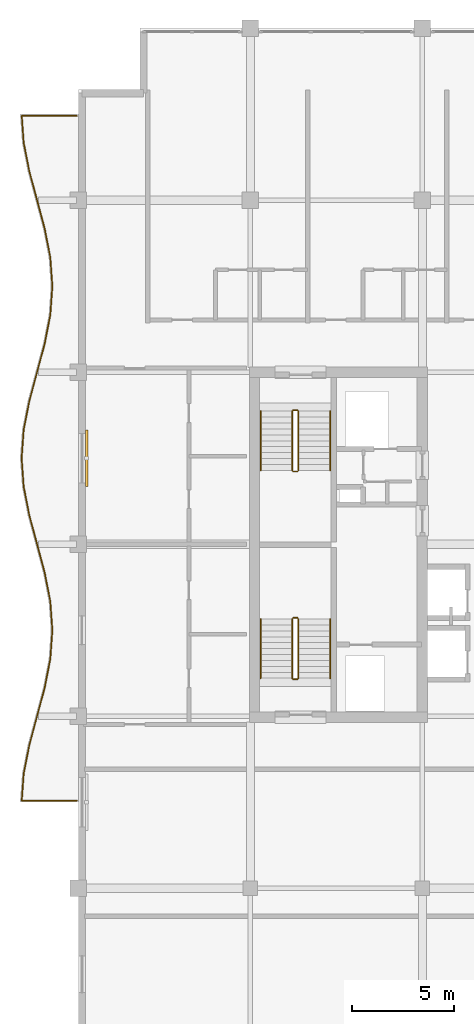
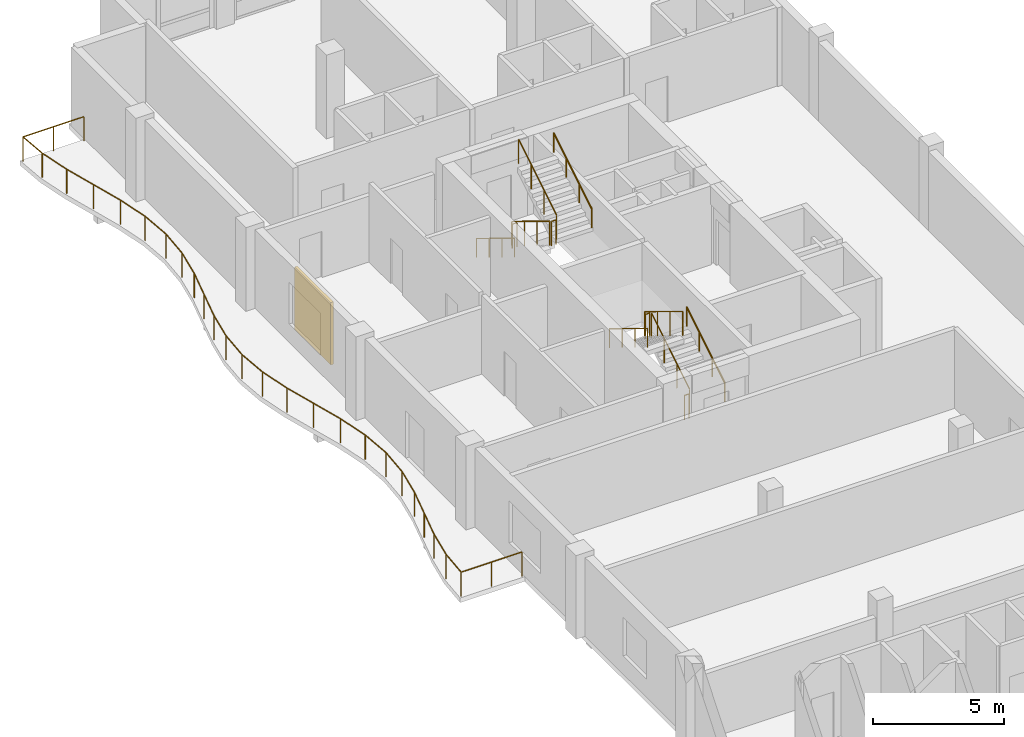
# One storey, part 17 of 17: 13 railings, 1 shading device.
"""IFC4 building model written with IfcOpenShell, lengths in metres."""

from ifc_helpers import new_model, si_unit, direction, frame, origin, origin_2d, place, context, subcontext, project, spatial, rectangle, circle, extrude, material, layer, layer_set, type_object, element, save


model = new_model("IFC4")

# Units and contexts
model_context = context("Model", 3, precision=1e-05, world=origin(), true_north=direction((0.0, 1.0)))
body_context = subcontext(model_context, "Body", "Model", "MODEL_VIEW")
ifc_project = project(units=[si_unit("LENGTHUNIT", "METRE"), si_unit("AREAUNIT", "SQUARE_METRE"), si_unit("VOLUMEUNIT", "CUBIC_METRE"), si_unit("PLANEANGLEUNIT", "RADIAN"), si_unit("MASSUNIT", "GRAM", prefix="KILO")], contexts=[model_context])

# Site, building, storey
site_placement = place(None, origin())
site = spatial("IfcSite", under=ifc_project, at=site_placement, CompositionType="ELEMENT")
building_placement = place(site_placement, origin())
building = spatial("IfcBuilding", under=site, at=building_placement, Name="Koriwani Terraces Tower", CompositionType="ELEMENT")
storey_placement = place(building_placement, frame((0.0, 0.0, 347.60009765625)))
storey = spatial("IfcBuildingStorey", under=building, at=storey_placement, Name="L86", CompositionType="ELEMENT", Elevation=347.60009765625)

# Railings
ifc_material_1 = material(Name="Steel ASTM A572 Grade 50", Category="steel")
railing_type_1 = type_object("IfcRailingType", Name="GUARD_BALUSTRADE_1150", PredefinedType="BALUSTRADE", material=ifc_material_1)
railing_1_placement = place(storey_placement, frame((8.320068359375, 37.8798828125, 0.0)))
element("IfcRailing", 1, at=railing_1_placement, inside=storey, type_object=railing_type_1, Name="L86 Balcony Perimeter Safety Balustrade (W)", PredefinedType="BALUSTRADE", context=body_context, shape_type="SweptSolid", body=[
    extrude(circle(Radius=0.02392578125, at=origin_2d()), frame((0.0, 0.0, 1.1259765625), z_axis=(-1.0, 0.0, 0.0), x_axis=(0.0, -1.0, 0.0)), (0.0, 0.0, 1.0), 2.68408203125),
    extrude(circle(Radius=0.02392578125, at=origin_2d()), frame((-2.68408203125, 0.0, 1.1259765625), z_axis=(0.071590627916, 0.997434099073, 0.0), x_axis=(-0.997434099073, 0.071590627916, 0.0)), (0.0, 0.0, 1.0), 1.31298828125),
    extrude(circle(Radius=0.02392578125, at=origin_2d()), frame((-2.590087890625, 1.3095703125, 1.1259765625), z_axis=(0.19237547223, 0.981321393675, 0.0), x_axis=(-0.981321393675, 0.19237547223, 0.0)), (0.0, 0.0, 1.0), 1.4189453125),
    extrude(circle(Radius=0.02392578125, at=origin_2d()), frame((-2.317138671875, 2.701904296875, 1.1259765625), z_axis=(0.258710827923, 0.965954816498, 0.0), x_axis=(-0.965954816498, 0.258710827923, 0.0)), (0.0, 0.0, 1.0), 2.89892578125),
    extrude(circle(Radius=0.02392578125, at=origin_2d()), frame((-1.567138671875, 5.502197265625, 1.1259765625), z_axis=(0.192218357442, 0.981352180954, 0.0), x_axis=(-0.981352180954, 0.192218357442, 0.0)), (0.0, 0.0, 1.0), 1.43408203125),
    extrude(circle(Radius=0.02392578125, at=origin_2d()), frame((-1.29150390625, 6.909423828125, 1.1259765625), z_axis=(0.071639614309, 0.997430581876, 0.0), x_axis=(-0.997430581876, 0.071639614309, 0.0)), (0.0, 0.0, 1.0), 1.414306640625),
    extrude(circle(Radius=0.02392578125, at=origin_2d()), frame((-1.190185546875, 8.320068359375, 1.1259765625), z_axis=(-0.071639614309, 0.997430581876, 0.0), x_axis=(-0.997430581876, -0.071639614309, 0.0)), (0.0, 0.0, 1.0), 1.414306640625),
    extrude(circle(Radius=0.02392578125, at=origin_2d()), frame((-1.29150390625, 9.730712890625, 1.1259765625), z_axis=(-0.192186246762, 0.981358469957, 0.0), x_axis=(-0.981358469957, -0.192186246762, 0.0)), (0.0, 0.0, 1.0), 1.434326171875),
    extrude(circle(Radius=0.02392578125, at=origin_2d()), frame((-1.567138671875, 11.13818359375, 1.1259765625), z_axis=(-0.258731875344, 0.96594917914, 0.0), x_axis=(-0.96594917914, -0.258731875344, 0.0)), (0.0, 0.0, 1.0), 2.898681640625),
    extrude(circle(Radius=0.02392578125, at=origin_2d()), frame((-2.317138671875, 13.938232421875, 1.1259765625), z_axis=(-0.192342993657, 0.981327760125, 0.0), x_axis=(-0.981327760125, -0.192342993657, 0.0)), (0.0, 0.0, 1.0), 1.419189453125),
    extrude(circle(Radius=0.02392578125, at=origin_2d()), frame((-2.590087890625, 15.330810546875, 1.1259765625), z_axis=(-0.07168297904, 0.997427466293, 0.0), x_axis=(-0.997427466293, -0.07168297904, 0.0)), (0.0, 0.0, 1.0), 1.39306640625),
    extrude(circle(Radius=0.02392578125, at=origin_2d()), frame((-2.68994140625, 16.72021484375, 1.1259765625), z_axis=(0.07168297904, 0.997427466293, 0.0), x_axis=(-0.997427466293, 0.07168297904, 0.0)), (0.0, 0.0, 1.0), 1.39306640625),
    extrude(circle(Radius=0.02392578125, at=origin_2d()), frame((-2.590087890625, 18.109619140625, 1.1259765625), z_axis=(0.19237547223, 0.981321393675, 0.0), x_axis=(-0.981321393675, 0.19237547223, 0.0)), (0.0, 0.0, 1.0), 1.4189453125),
    extrude(circle(Radius=0.02392578125, at=origin_2d()), frame((-2.317138671875, 19.501953125, 1.1259765625), z_axis=(0.258731875344, 0.96594917914, 0.0), x_axis=(-0.96594917914, 0.258731875344, 0.0)), (0.0, 0.0, 1.0), 2.898681640625),
    extrude(circle(Radius=0.02392578125, at=origin_2d()), frame((-1.567138671875, 22.302001953125, 1.1259765625), z_axis=(0.192186246762, 0.981358469957, 0.0), x_axis=(-0.981358469957, 0.192186246762, 0.0)), (0.0, 0.0, 1.0), 1.434326171875),
    extrude(circle(Radius=0.02392578125, at=origin_2d()), frame((-1.29150390625, 23.70947265625, 1.1259765625), z_axis=(0.071639614309, 0.997430581876, 0.0), x_axis=(-0.997430581876, 0.071639614309, 0.0)), (0.0, 0.0, 1.0), 1.414306640625),
    extrude(circle(Radius=0.02392578125, at=origin_2d()), frame((-1.190185546875, 25.1201171875, 1.1259765625), z_axis=(-0.071639614309, 0.997430581876, 0.0), x_axis=(-0.997430581876, -0.071639614309, 0.0)), (0.0, 0.0, 1.0), 1.414306640625),
    extrude(circle(Radius=0.02392578125, at=origin_2d()), frame((-1.29150390625, 26.53076171875, 1.1259765625), z_axis=(-0.192186246762, 0.981358469957, 0.0), x_axis=(-0.981358469957, -0.192186246762, 0.0)), (0.0, 0.0, 1.0), 1.434326171875),
    extrude(circle(Radius=0.02392578125, at=origin_2d()), frame((-1.567138671875, 27.938232421875, 1.1259765625), z_axis=(-0.258731875344, 0.96594917914, 0.0), x_axis=(-0.96594917914, -0.258731875344, 0.0)), (0.0, 0.0, 1.0), 2.898681640625),
    extrude(circle(Radius=0.02392578125, at=origin_2d()), frame((-2.317138671875, 30.73828125, 1.1259765625), z_axis=(-0.19237547223, 0.981321393675, 0.0), x_axis=(-0.981321393675, -0.19237547223, 0.0)), (0.0, 0.0, 1.0), 1.4189453125),
    extrude(circle(Radius=0.02392578125, at=origin_2d()), frame((-2.590087890625, 32.130615234375, 1.1259765625), z_axis=(-0.071590627916, 0.997434099073, 0.0), x_axis=(-0.997434099073, -0.071590627916, 0.0)), (0.0, 0.0, 1.0), 1.31298828125),
    extrude(circle(Radius=0.02392578125, at=origin_2d()), frame((-2.68408203125, 33.440185546875, 1.1259765625), z_axis=(1.0, 0.0, 0.0), x_axis=(0.0, 1.0, 0.0)), (0.0, 0.0, 1.0), 2.68408203125),
    extrude(circle(Radius=0.02099609375, at=origin_2d()), origin(), (0.0, 0.0, 1.0), 1.101806640625),
    extrude(circle(Radius=0.02099609375, at=origin_2d()), frame((-1.342041015625, 0.0, 0.0)), (0.0, 0.0, 1.0), 1.101806640625),
    extrude(circle(Radius=0.02099609375, at=origin_2d()), frame((-2.68408203125, 0.0, 0.0)), (0.0, 0.0, 1.0), 1.101806640625),
    extrude(circle(Radius=0.02099609375, at=origin_2d()), frame((-2.590087890625, 1.3095703125, 0.0)), (0.0, 0.0, 1.0), 1.101806640625),
    extrude(circle(Radius=0.02099609375, at=origin_2d()), frame((-2.317138671875, 2.701904296875, 0.0)), (0.0, 0.0, 1.0), 1.101806640625),
    extrude(circle(Radius=0.02099609375, at=origin_2d()), frame((-1.942138671875, 4.10205078125, 0.0)), (0.0, 0.0, 1.0), 1.101806640625),
    extrude(circle(Radius=0.02099609375, at=origin_2d()), frame((-1.567138671875, 5.502197265625, 0.0)), (0.0, 0.0, 1.0), 1.101806640625),
    extrude(circle(Radius=0.02099609375, at=origin_2d()), frame((-1.29150390625, 6.909423828125, 0.0)), (0.0, 0.0, 1.0), 1.101806640625),
    extrude(circle(Radius=0.02099609375, at=origin_2d()), frame((-1.190185546875, 8.320068359375, 0.0)), (0.0, 0.0, 1.0), 1.101806640625),
    extrude(circle(Radius=0.02099609375, at=origin_2d()), frame((-1.29150390625, 9.730712890625, 0.0)), (0.0, 0.0, 1.0), 1.101806640625),
    extrude(circle(Radius=0.02099609375, at=origin_2d()), frame((-1.567138671875, 11.13818359375, 0.0)), (0.0, 0.0, 1.0), 1.101806640625),
    extrude(circle(Radius=0.02099609375, at=origin_2d()), frame((-1.942138671875, 12.5380859375, 0.0)), (0.0, 0.0, 1.0), 1.101806640625),
    extrude(circle(Radius=0.02099609375, at=origin_2d()), frame((-2.317138671875, 13.938232421875, 0.0)), (0.0, 0.0, 1.0), 1.101806640625),
    extrude(circle(Radius=0.02099609375, at=origin_2d()), frame((-2.590087890625, 15.330810546875, 0.0)), (0.0, 0.0, 1.0), 1.101806640625),
    extrude(circle(Radius=0.02099609375, at=origin_2d()), frame((-2.68994140625, 16.72021484375, 0.0)), (0.0, 0.0, 1.0), 1.101806640625),
    extrude(circle(Radius=0.02099609375, at=origin_2d()), frame((-2.590087890625, 18.109619140625, 0.0)), (0.0, 0.0, 1.0), 1.101806640625),
    extrude(circle(Radius=0.02099609375, at=origin_2d()), frame((-2.317138671875, 19.501953125, 0.0)), (0.0, 0.0, 1.0), 1.101806640625),
    extrude(circle(Radius=0.02099609375, at=origin_2d()), frame((-1.942138671875, 20.90185546875, 0.0)), (0.0, 0.0, 1.0), 1.101806640625),
    extrude(circle(Radius=0.02099609375, at=origin_2d()), frame((-1.567138671875, 22.302001953125, 0.0)), (0.0, 0.0, 1.0), 1.101806640625),
    extrude(circle(Radius=0.02099609375, at=origin_2d()), frame((-1.29150390625, 23.70947265625, 0.0)), (0.0, 0.0, 1.0), 1.101806640625),
    extrude(circle(Radius=0.02099609375, at=origin_2d()), frame((-1.190185546875, 25.1201171875, 0.0)), (0.0, 0.0, 1.0), 1.101806640625),
    extrude(circle(Radius=0.02099609375, at=origin_2d()), frame((-1.29150390625, 26.53076171875, 0.0)), (0.0, 0.0, 1.0), 1.101806640625),
    extrude(circle(Radius=0.02099609375, at=origin_2d()), frame((-1.567138671875, 27.938232421875, 0.0)), (0.0, 0.0, 1.0), 1.101806640625),
    extrude(circle(Radius=0.02099609375, at=origin_2d()), frame((-1.942138671875, 29.33837890625, 0.0)), (0.0, 0.0, 1.0), 1.101806640625),
    extrude(circle(Radius=0.02099609375, at=origin_2d()), frame((-2.317138671875, 30.73828125, 0.0)), (0.0, 0.0, 1.0), 1.101806640625),
    extrude(circle(Radius=0.02099609375, at=origin_2d()), frame((-2.590087890625, 32.130615234375, 0.0)), (0.0, 0.0, 1.0), 1.101806640625),
    extrude(circle(Radius=0.02099609375, at=origin_2d()), frame((-2.68408203125, 33.440185546875, 0.0)), (0.0, 0.0, 1.0), 1.101806640625),
    extrude(circle(Radius=0.02099609375, at=origin_2d()), frame((-1.342041015625, 33.440185546875, 0.0)), (0.0, 0.0, 1.0), 1.101806640625),
    extrude(circle(Radius=0.02099609375, at=origin_2d()), frame((0.0, 33.440185546875, 0.0)), (0.0, 0.0, 1.0), 1.101806640625),
])
railing_type_2 = type_object("IfcRailingType", Name="GUARD_STAIR_WELL_1120", PredefinedType="GUARDRAIL", material=ifc_material_1)
railing_2_placement = place(storey_placement, frame((19.14990234375, 43.85009765625, 0.17724609375)))
element("IfcRailing", 2, at=railing_2_placement, inside=storey, type_object=railing_type_2, Name="L86 ST-W1 stair guard 1", PredefinedType="GUARDRAIL", context=body_context, shape_type="SweptSolid", body=[
    extrude(circle(Radius=0.02392578125, at=origin_2d()), frame((0.0, 0.0, 1.1259765625), z_axis=(0.0, 0.853210801645, 0.521566225858), x_axis=(-1.0, 0.0, 0.0)), (0.0, 0.0, 1.0), 3.39892578125),
    extrude(circle(Radius=0.02099609375, at=origin_2d()), origin(), (0.0, 0.0, 1.0), 1.101806640625),
    extrude(circle(Radius=0.02099609375, at=origin_2d()), frame((0.0, 0.966552734375, 0.5908203125)), (0.0, 0.0, 1.0), 1.101806640625),
    extrude(circle(Radius=0.02099609375, at=origin_2d()), frame((0.0, 1.933349609375, 1.181884765625)), (0.0, 0.0, 1.0), 1.101806640625),
    extrude(circle(Radius=0.02099609375, at=origin_2d()), frame((0.0, 2.89990234375, 1.772705078125)), (0.0, 0.0, 1.0), 1.101806640625),
])
railing_3_placement = place(storey_placement, frame((19.10009765625, 46.800048828125, 1.949951171875)))
element("IfcRailing", 3, at=railing_3_placement, inside=storey, type_object=railing_type_2, Name="L86 ST-W1 stair guard 2", PredefinedType="GUARDRAIL", context=body_context, shape_type="SweptSolid", body=[
    extrude(circle(Radius=0.02392578125, at=origin_2d()), frame((0.0, 0.0, 1.1259765625), z_axis=(-1.0, 0.0, 0.0), x_axis=(0.0, -1.0, 0.0)), (0.0, 0.0, 1.0), 0.2001953125),
    extrude(circle(Radius=0.02099609375, at=origin_2d()), origin(), (0.0, 0.0, 1.0), 1.101806640625),
    extrude(circle(Radius=0.02099609375, at=origin_2d()), frame((-0.2001953125, 0.0, 0.0)), (0.0, 0.0, 1.0), 1.101806640625),
])
railing_4_placement = place(storey_placement, frame((18.85009765625, 46.75, 2.127197265625)))
element("IfcRailing", 4, at=railing_4_placement, inside=storey, type_object=railing_type_2, Name="L86 ST-W1 stair guard 3", PredefinedType="GUARDRAIL", context=body_context, shape_type="SweptSolid", body=[
    extrude(circle(Radius=0.02392578125, at=origin_2d()), frame((0.0, 0.0, 1.1259765625), z_axis=(0.0, -0.853210801645, 0.521566225858), x_axis=(1.0, 0.0, 0.0)), (0.0, 0.0, 1.0), 3.39892578125),
    extrude(circle(Radius=0.02099609375, at=origin_2d()), origin(), (0.0, 0.0, 1.0), 1.101806640625),
    extrude(circle(Radius=0.02099609375, at=origin_2d()), frame((0.0, -0.966552734375, 0.5908203125)), (0.0, 0.0, 1.0), 1.101806640625),
    extrude(circle(Radius=0.02099609375, at=origin_2d()), frame((0.0, -1.933349609375, 1.181884765625)), (0.0, 0.0, 1.0), 1.101806640625),
    extrude(circle(Radius=0.02099609375, at=origin_2d()), frame((0.0, -2.89990234375, 1.772705078125)), (0.0, 0.0, 1.0), 1.101806640625),
])
railing_5_placement = place(storey_placement, frame((19.10009765625, 43.800048828125, 0.0)))
element("IfcRailing", 5, at=railing_5_placement, inside=storey, type_object=railing_type_2, Name="L86 ST-W1 stair guard 4", PredefinedType="GUARDRAIL", context=body_context, shape_type="SweptSolid", body=[
    extrude(circle(Radius=0.02392578125, at=origin_2d()), frame((0.0, 0.0, 1.1259765625), z_axis=(-1.0, 0.0, 0.0), x_axis=(0.0, -1.0, 0.0)), (0.0, 0.0, 1.0), 0.2001953125),
    extrude(circle(Radius=0.02099609375, at=origin_2d()), origin(), (0.0, 0.0, 1.0), 1.101806640625),
    extrude(circle(Radius=0.02099609375, at=origin_2d()), frame((-0.2001953125, 0.0, 0.0)), (0.0, 0.0, 1.0), 1.101806640625),
])
railing_6_placement = place(storey_placement, frame((18.85009765625, 56.89990234375, 0.17724609375)))
element("IfcRailing", 6, at=railing_6_placement, inside=storey, type_object=railing_type_2, Name="L86 ST-W2 stair guard 1", PredefinedType="GUARDRAIL", context=body_context, shape_type="SweptSolid", body=[
    extrude(circle(Radius=0.02392578125, at=origin_2d()), frame((0.0, 0.0, 1.1259765625), z_axis=(0.0, -0.853210801645, 0.521566225858), x_axis=(1.0, 0.0, 0.0)), (0.0, 0.0, 1.0), 3.39892578125),
    extrude(circle(Radius=0.02099609375, at=origin_2d()), origin(), (0.0, 0.0, 1.0), 1.101806640625),
    extrude(circle(Radius=0.02099609375, at=origin_2d()), frame((0.0, -0.966552734375, 0.5908203125)), (0.0, 0.0, 1.0), 1.101806640625),
    extrude(circle(Radius=0.02099609375, at=origin_2d()), frame((0.0, -1.933349609375, 1.181884765625)), (0.0, 0.0, 1.0), 1.101806640625),
    extrude(circle(Radius=0.02099609375, at=origin_2d()), frame((0.0, -2.89990234375, 1.772705078125)), (0.0, 0.0, 1.0), 1.101806640625),
])
railing_7_placement = place(storey_placement, frame((18.89990234375, 53.949951171875, 1.949951171875)))
element("IfcRailing", 7, at=railing_7_placement, inside=storey, type_object=railing_type_2, Name="L86 ST-W2 stair guard 2", PredefinedType="GUARDRAIL", context=body_context, shape_type="SweptSolid", body=[
    extrude(circle(Radius=0.02392578125, at=origin_2d()), frame((0.0, 0.0, 1.1259765625), z_axis=(1.0, 0.0, 0.0), x_axis=(0.0, 1.0, 0.0)), (0.0, 0.0, 1.0), 0.2001953125),
    extrude(circle(Radius=0.02099609375, at=origin_2d()), origin(), (0.0, 0.0, 1.0), 1.101806640625),
    extrude(circle(Radius=0.02099609375, at=origin_2d()), frame((0.2001953125, 0.0, 0.0)), (0.0, 0.0, 1.0), 1.101806640625),
])
railing_8_placement = place(storey_placement, frame((19.14990234375, 54.0, 2.127197265625)))
element("IfcRailing", 8, at=railing_8_placement, inside=storey, type_object=railing_type_2, Name="L86 ST-W2 stair guard 3", PredefinedType="GUARDRAIL", context=body_context, shape_type="SweptSolid", body=[
    extrude(circle(Radius=0.02392578125, at=origin_2d()), frame((0.0, 0.0, 1.1259765625), z_axis=(0.0, 0.853210801645, 0.521566225858), x_axis=(-1.0, 0.0, 0.0)), (0.0, 0.0, 1.0), 3.39892578125),
    extrude(circle(Radius=0.02099609375, at=origin_2d()), origin(), (0.0, 0.0, 1.0), 1.101806640625),
    extrude(circle(Radius=0.02099609375, at=origin_2d()), frame((0.0, 0.966552734375, 0.5908203125)), (0.0, 0.0, 1.0), 1.101806640625),
    extrude(circle(Radius=0.02099609375, at=origin_2d()), frame((0.0, 1.933349609375, 1.181884765625)), (0.0, 0.0, 1.0), 1.101806640625),
    extrude(circle(Radius=0.02099609375, at=origin_2d()), frame((0.0, 2.89990234375, 1.772705078125)), (0.0, 0.0, 1.0), 1.101806640625),
])
railing_9_placement = place(storey_placement, frame((18.89990234375, 56.949951171875, 0.0)))
element("IfcRailing", 9, at=railing_9_placement, inside=storey, type_object=railing_type_2, Name="L86 ST-W2 stair guard 4", PredefinedType="GUARDRAIL", context=body_context, shape_type="SweptSolid", body=[
    extrude(circle(Radius=0.02392578125, at=origin_2d()), frame((0.0, 0.0, 1.1259765625), z_axis=(1.0, 0.0, 0.0), x_axis=(0.0, 1.0, 0.0)), (0.0, 0.0, 1.0), 0.2001953125),
    extrude(circle(Radius=0.02099609375, at=origin_2d()), origin(), (0.0, 0.0, 1.0), 1.101806640625),
    extrude(circle(Radius=0.02099609375, at=origin_2d()), frame((0.2001953125, 0.0, 0.0)), (0.0, 0.0, 1.0), 1.101806640625),
])
railing_type_3 = type_object("IfcRailingType", Name="HANDRAIL_STAIR_920", PredefinedType="HANDRAIL", material=ifc_material_1)
railing_10_placement = place(storey_placement, frame((20.699951171875, 43.85009765625, 0.17724609375)))
element("IfcRailing", 10, at=railing_10_placement, inside=storey, type_object=railing_type_3, Name="L86 ST-W1 stair handrail 1", PredefinedType="HANDRAIL", context=body_context, shape_type="SweptSolid", body=[
    extrude(circle(Radius=0.02392578125, at=origin_2d()), frame((0.0, 0.0, 0.8759765625), z_axis=(0.0, 0.853210801645, 0.521566225858), x_axis=(-1.0, 0.0, 0.0)), (0.0, 0.0, 1.0), 3.39892578125),
    extrude(circle(Radius=0.02099609375, at=origin_2d()), origin(), (0.0, 0.0, 1.0), 0.851806640625),
    extrude(circle(Radius=0.02099609375, at=origin_2d()), frame((0.0, 0.966552734375, 0.5908203125)), (0.0, 0.0, 1.0), 0.851806640625),
    extrude(circle(Radius=0.02099609375, at=origin_2d()), frame((0.0, 1.933349609375, 1.181884765625)), (0.0, 0.0, 1.0), 0.851806640625),
    extrude(circle(Radius=0.02099609375, at=origin_2d()), frame((0.0, 2.89990234375, 1.772705078125)), (0.0, 0.0, 1.0), 0.851806640625),
])
for number, where, name in (
    (11, (17.300048828125, 46.75, 2.127197265625), "L86 ST-W1 stair handrail 2"),
    (12, (17.300048828125, 56.89990234375, 0.17724609375), "L86 ST-W2 stair handrail 1"),
):
    element("IfcRailing", number, at=place(storey_placement, frame(where)), inside=storey, type_object=railing_type_3, Name=name, PredefinedType="HANDRAIL", context=body_context, shape_type="SweptSolid", body=[
        extrude(circle(Radius=0.02392578125, at=origin_2d()), frame((0.0, 0.0, 0.8759765625), z_axis=(0.0, -0.853210801645, 0.521566225858), x_axis=(1.0, 0.0, 0.0)), (0.0, 0.0, 1.0), 3.39892578125),
        extrude(circle(Radius=0.02099609375, at=origin_2d()), origin(), (0.0, 0.0, 1.0), 0.851806640625),
        extrude(circle(Radius=0.02099609375, at=origin_2d()), frame((0.0, -0.966552734375, 0.5908203125)), (0.0, 0.0, 1.0), 0.851806640625),
        extrude(circle(Radius=0.02099609375, at=origin_2d()), frame((0.0, -1.933349609375, 1.181884765625)), (0.0, 0.0, 1.0), 0.851806640625),
        extrude(circle(Radius=0.02099609375, at=origin_2d()), frame((0.0, -2.89990234375, 1.772705078125)), (0.0, 0.0, 1.0), 0.851806640625),
    ])
railing_11_placement = place(storey_placement, frame((20.699951171875, 54.0, 2.127197265625)))
element("IfcRailing", 13, at=railing_11_placement, inside=storey, type_object=railing_type_3, Name="L86 ST-W2 stair handrail 2", PredefinedType="HANDRAIL", context=body_context, shape_type="SweptSolid", body=[
    extrude(circle(Radius=0.02392578125, at=origin_2d()), frame((0.0, 0.0, 0.8759765625), z_axis=(0.0, 0.853210801645, 0.521566225858), x_axis=(-1.0, 0.0, 0.0)), (0.0, 0.0, 1.0), 3.39892578125),
    extrude(circle(Radius=0.02099609375, at=origin_2d()), origin(), (0.0, 0.0, 1.0), 0.851806640625),
    extrude(circle(Radius=0.02099609375, at=origin_2d()), frame((0.0, 0.966552734375, 0.5908203125)), (0.0, 0.0, 1.0), 0.851806640625),
    extrude(circle(Radius=0.02099609375, at=origin_2d()), frame((0.0, 1.933349609375, 1.181884765625)), (0.0, 0.0, 1.0), 0.851806640625),
    extrude(circle(Radius=0.02099609375, at=origin_2d()), frame((0.0, 2.89990234375, 1.772705078125)), (0.0, 0.0, 1.0), 0.851806640625),
])

# Shading device
ifc_material_2 = material(Name="Extruded Terracotta Clay", Category="masonry")
ifc_layer = layer(ifc_material_2, 0.1201171875, Name="Extruded Terracotta Clay")
ifc_layer_set = layer_set([ifc_layer], Name="Extruded Terracotta Clay")
shading_device_type = type_object("IfcShadingDeviceType", Name="TERRACOTTA_BAGUETTE_SCREEN_2800", PredefinedType="USERDEFINED", material=ifc_layer_set)
shading_device_placement = place(storey_placement, frame((8.804931640625, 54.60009765625, 0.385009765625), z_axis=(0.0, 0.0, 1.0), x_axis=(0.0, 1.0, 0.0)))
element("IfcShadingDevice", 14, at=shading_device_placement, inside=storey, type_object=shading_device_type, Name="L86 Extruded Terracotta Baguette Screen (W-15)", ObjectType="BAGUETTE", PredefinedType="USERDEFINED", context=body_context, shape_type="SweptSolid", body=[
    extrude(rectangle(XDim=2.760009765625, YDim=0.1201171875, at=origin_2d()), origin(), (0.0, 0.0, 1.0), 2.89990234375),
])

save(model, "model.ifc")
